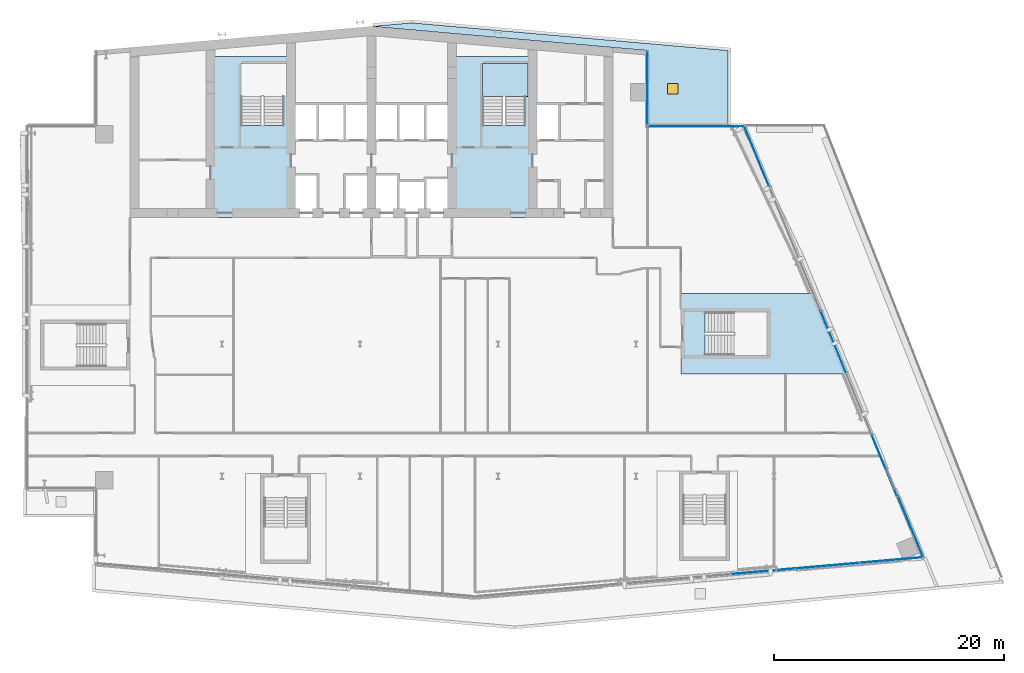
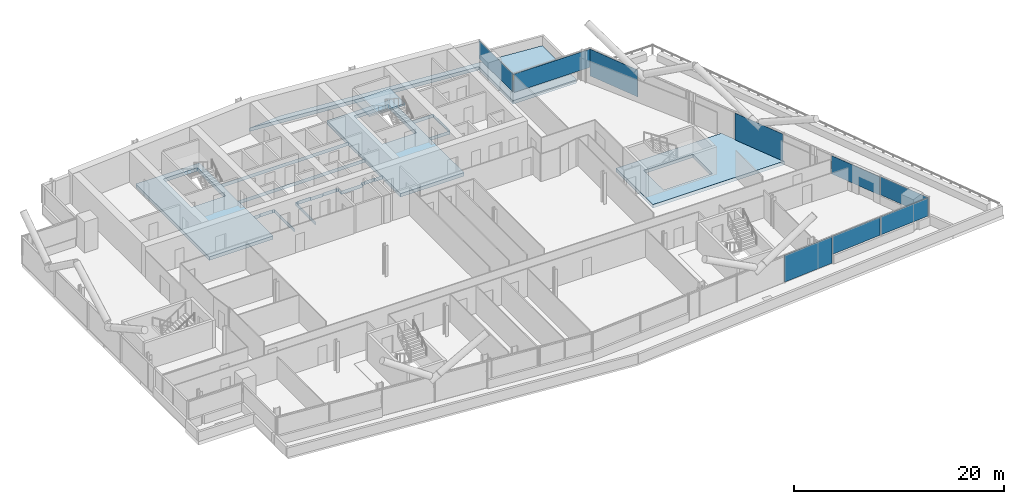
# One storey, part 13 of 30: 9 plates, 4 slabs, 1 door, 1 opening, 5 elements without a shape of their own.
"""IFC4 building model written with IfcOpenShell, lengths in metres."""

from ifc_helpers import new_model, si_unit, direction, frame, origin, origin_2d, place, context, subcontext, project, spatial, polyline, rectangle, outline, extrude, material, layer, layer_set, type_object, element, fill, aggregate, save


model = new_model("IFC4")

# Units and contexts
model_context = context("Model", 3, precision=1e-05, world=origin(), true_north=direction((0.0, 1.0)))
body_context = subcontext(model_context, "Body", "Model", "MODEL_VIEW")
ifc_project = project(units=[si_unit("LENGTHUNIT", "METRE"), si_unit("AREAUNIT", "SQUARE_METRE"), si_unit("VOLUMEUNIT", "CUBIC_METRE"), si_unit("PLANEANGLEUNIT", "RADIAN"), si_unit("MASSUNIT", "GRAM", prefix="KILO")], contexts=[model_context])

# Site, building, storey
site_placement = place(None, origin())
site = spatial("IfcSite", under=ifc_project, at=site_placement, CompositionType="ELEMENT")
building_placement = place(site_placement, origin())
building = spatial("IfcBuilding", under=site, at=building_placement, Name="Wharfspan Tower", CompositionType="ELEMENT")
storey_placement = place(building_placement, frame((0.0, 0.0, 151.899902)))
storey = spatial("IfcBuildingStorey", under=building, at=storey_placement, Name="L36", CompositionType="ELEMENT", Elevation=151.899902)

# Curtain wall, plates
ifc_material_1 = material(Name="Aluminium 6063-T6", Category="aluminium")
curtain_wall_type_1 = type_object("IfcCurtainWallType", Name="CURTAIN WALL FACETED FRONT", PredefinedType="NOTDEFINED", material=ifc_material_1)
curtain_wall_1_placement = place(storey_placement, origin())
curtain_wall_1 = element("IfcCurtainWall", 1, at=curtain_wall_1_placement, inside=storey, type_object=curtain_wall_type_1, Name="Curtain wall S2", PredefinedType="NOTDEFINED")
ifc_material_2 = material(Name="Glass clear low-iron double glazing", Category="glass")
ifc_layer_1 = layer(ifc_material_2, 0.040039)
ifc_layer_set_1 = layer_set([ifc_layer_1], Name="Glass clear low-iron double glazing")
plate_type_1 = type_object("IfcPlateType", Name="GLASS PANEL FACETED FRONT 40", PredefinedType="CURTAIN_PANEL", material=ifc_layer_set_1)
plate_1_placement = place(storey_placement, frame((76.637695, 3.728516, 1.0), z_axis=(0.0, 0.0, 1.0), x_axis=(0.996198, 0.087156, 0.0)))
plate_1 = element("IfcPlate", 2, at=plate_1_placement, type_object=plate_type_1, Name="Curtain wall S2 panel 6", PredefinedType="CURTAIN_PANEL", context=body_context, shape_type="SweptSolid", body=[
    extrude(rectangle(XDim=5.532715, YDim=0.040039, at=origin_2d()), origin(), (0.0, 0.0, 1.0), 2.120117),
])
plate_2_placement = place(storey_placement, frame((82.194092, 4.214844, 1.0), z_axis=(0.0, 0.0, 1.0), x_axis=(0.996198, 0.087156, 0.0)))
plate_2 = element("IfcPlate", 3, at=plate_2_placement, type_object=plate_type_1, Name="Curtain wall S2 panel 7", PredefinedType="CURTAIN_PANEL", context=body_context, shape_type="SweptSolid", body=[
    extrude(rectangle(XDim=5.502686, YDim=0.040039, at=origin_2d()), origin(), (0.0, 0.0, 1.0), 2.120117),
])

curtain_wall_type_2 = type_object("IfcCurtainWallType", Name="CURTAIN WALL PROW AND END", PredefinedType="NOTDEFINED", material=ifc_material_1)
curtain_wall_2_placement = place(storey_placement, origin())
curtain_wall_2 = element("IfcCurtainWall", 4, at=curtain_wall_2_placement, inside=storey, type_object=curtain_wall_type_2, Name="Curtain wall E", PredefinedType="NOTDEFINED")
ifc_layer_2 = layer(ifc_material_2, 0.040039)
ifc_layer_set_2 = layer_set([ifc_layer_2], Name="Glass clear low-iron double glazing")
plate_type_2 = type_object("IfcPlateType", Name="GLASS PANEL PROW AND END 40", PredefinedType="CURTAIN_PANEL", material=ifc_layer_set_2)
plate_3_placement = place(storey_placement, frame((83.885498, 7.099609, 1.0), z_axis=(0.0, 0.0, 1.0), x_axis=(-0.381602, 0.924325, 0.0)))
plate_3 = element("IfcPlate", 5, at=plate_3_placement, type_object=plate_type_2, Name="Curtain wall E panel 1", PredefinedType="CURTAIN_PANEL", context=body_context, shape_type="SweptSolid", body=[
    extrude(rectangle(XDim=5.721191, YDim=0.040039, at=origin_2d()), origin(), (0.0, 0.0, 1.0), 2.120117),
])
plate_4_placement = place(storey_placement, frame((81.599609, 12.426514, 1.0), z_axis=(0.0, 0.0, 1.0), x_axis=(-0.381602, 0.924325, 0.0)))
plate_4 = element("IfcPlate", 6, at=plate_4_placement, type_object=plate_type_2, Name="Curtain wall E panel 2", PredefinedType="CURTAIN_PANEL", context=body_context, shape_type="SweptSolid", body=[
    extrude(rectangle(XDim=5.751221, YDim=0.040039, at=origin_2d()), origin(), (0.0, 0.0, 1.0), 2.120117),
])

# Curtain wall, plate
curtain_wall_3_placement = place(storey_placement, origin())
curtain_wall_3 = element("IfcCurtainWall", 7, at=curtain_wall_3_placement, inside=storey, type_object=curtain_wall_type_2, Name="Curtain wall NRE-H", PredefinedType="NOTDEFINED")
plate_5_placement = place(storey_placement, frame((65.238525, 41.919922, 1.0), z_axis=(0.0, 0.0, 1.0), x_axis=(-1.0, 0.0, 0.0)))
plate_5 = element("IfcPlate", 8, at=plate_5_placement, type_object=plate_type_2, Name="Curtain wall NRE-H panel 1", PredefinedType="CURTAIN_PANEL", context=body_context, shape_type="SweptSolid", body=[
    extrude(rectangle(XDim=8.357178, YDim=0.040039, at=origin_2d()), origin(), (0.0, 0.0, 1.0), 2.120117),
])
aggregate(curtain_wall_3, [plate_5])

curtain_wall_4_placement = place(storey_placement, origin())
curtain_wall_4 = element("IfcCurtainWall", 9, at=curtain_wall_4_placement, inside=storey, type_object=curtain_wall_type_2, Name="Curtain wall NRE-V", PredefinedType="NOTDEFINED")
plate_6_placement = place(storey_placement, frame((61.0, 45.262451, 1.0), z_axis=(0.0, 0.0, 1.0), x_axis=(0.0, 1.0, 0.0)))
plate_6 = element("IfcPlate", 10, at=plate_6_placement, type_object=plate_type_2, Name="Curtain wall NRE-V panel 1", PredefinedType="CURTAIN_PANEL", context=body_context, shape_type="SweptSolid", body=[
    extrude(rectangle(XDim=6.405029, YDim=0.040039, at=origin_2d()), origin(), (0.0, 0.0, 1.0), 2.120117),
])
aggregate(curtain_wall_4, [plate_6])

# Plate
ifc_material_3 = material(Name="Aluminium composite opaque insulated panel", Category="aluminium")
ifc_layer_3 = layer(ifc_material_3, 0.040039)
ifc_layer_set_3 = layer_set([ifc_layer_3], Name="Aluminium composite opaque insulated panel")
plate_type_3 = type_object("IfcPlateType", Name="INFILL PANEL FACETED FRONT OPAQUE 40", PredefinedType="SHEET", material=ifc_layer_set_3)
plate_7_placement = place(storey_placement, frame((71.066162, 3.241211, 0.0), z_axis=(0.0, 0.0, 1.0), x_axis=(0.996198, 0.087156, 0.0)))
plate_7 = element("IfcPlate", 11, at=plate_7_placement, type_object=plate_type_3, Name="Curtain wall S2 panel 5", PredefinedType="SHEET", context=body_context, shape_type="SweptSolid", body=[
    extrude(rectangle(XDim=5.532715, YDim=0.040039, at=origin_2d()), origin(), (0.0, 0.0, 1.0), 3.120117),
])

aggregate(curtain_wall_1, [plate_7, plate_1, plate_2])

ifc_layer_4 = layer(ifc_material_3, 0.040039)
ifc_layer_set_4 = layer_set([ifc_layer_4], Name="Aluminium composite opaque insulated panel")
plate_type_4 = type_object("IfcPlateType", Name="INFILL PANEL PROW AND END OPAQUE 40", PredefinedType="SHEET", material=ifc_layer_set_4)
plate_8_placement = place(storey_placement, frame((77.164551, 23.169434, 0.0), z_axis=(0.0, 0.0, 1.0), x_axis=(-0.381602, 0.924325, 0.0)))
plate_8 = element("IfcPlate", 12, at=plate_8_placement, type_object=plate_type_4, Name="Curtain wall E panel 4", PredefinedType="SHEET", context=body_context, shape_type="SweptSolid", body=[
    extrude(rectangle(XDim=5.751221, YDim=0.040039, at=origin_2d()), origin(), (0.0, 0.0, 1.0), 3.120117),
])

plate_9_placement = place(storey_placement, frame((70.517578, 39.269775, 0.0), z_axis=(0.0, 0.0, 1.0), x_axis=(-0.381602, 0.924325, 0.0)))
plate_9 = element("IfcPlate", 13, at=plate_9_placement, type_object=plate_type_4, Name="Curtain wall E panel 7", PredefinedType="SHEET", context=body_context, shape_type="SweptSolid", body=[
    extrude(rectangle(XDim=5.721191, YDim=0.040039, at=origin_2d()), origin(), (0.0, 0.0, 1.0), 3.120117),
])

aggregate(curtain_wall_2, [plate_3, plate_4, plate_8, plate_9])

# Slabs
ifc_material_4 = material(Name="Concrete C40/50", Category="concrete")
ifc_layer_5 = layer(ifc_material_4, 0.399902)
ifc_layer_set_5 = layer_set([ifc_layer_5], Name="Concrete C40/50")
slab_type_1 = type_object("IfcSlabType", Name="Post-tensioned flat slab 400", PredefinedType="FLOOR", material=ifc_layer_set_5)
slab_1_placement = place(storey_placement, frame((0.0, 0.0, -0.400146)))
element("IfcSlab", 14, at=slab_1_placement, inside=storey, type_object=slab_type_1, Name="Core floor slab L36 part 3", PredefinedType="FLOOR", context=body_context, shape_type="SweptSolid", body=[
    extrude(outline(polyline([(23.0, 34.0), (29.998047, 34.0), (29.998047, 37.75), (29.998047, 37.750244), (29.998047, 37.750488), (29.998047, 37.750488), (29.998291, 37.750732), (29.998291, 37.750977), (29.998291, 37.751221), (29.998535, 37.751221), (29.998535, 37.751465), (29.998779, 37.751465), (29.998779, 37.751709), (29.999023, 37.751709), (29.999268, 37.751709), (29.999512, 37.751953), (29.999512, 37.751953), (29.999756, 37.751953), (30.0, 37.751953), (30.7146, 37.751953), (30.7146, 37.800049), (30.7146, 37.800293), (30.7146, 37.800293), (30.714844, 37.800537), (30.714844, 37.800781), (30.714844, 37.800781), (30.715088, 37.801025), (30.715088, 37.80127), (30.715332, 37.801514), (30.715332, 37.801514), (30.715576, 37.801758), (30.71582, 37.801758), (30.71582, 37.801758), (30.716064, 37.802002), (30.716309, 37.802002), (30.716553, 37.802002), (30.716797, 37.802002), (32.116699, 37.802002), (32.116943, 37.802002), (32.117188, 37.802002), (32.117188, 37.802002), (32.117432, 37.801758), (32.117676, 37.801758), (32.11792, 37.801758), (32.11792, 37.801514), (32.118164, 37.801514), (32.118164, 37.80127), (32.118408, 37.801025), (32.118408, 37.800781), (32.118408, 37.800781), (32.118652, 37.800537), (32.118652, 37.800293), (32.118652, 37.800293), (32.118652, 37.800049), (32.118652, 37.751953), (32.333252, 37.751953), (32.333496, 37.751953), (32.33374, 37.751953), (32.333984, 37.751953), (32.333984, 37.751709), (32.334229, 37.751709), (32.334473, 37.751709), (32.334717, 37.751465), (32.334717, 37.751465), (32.334961, 37.751221), (32.334961, 37.751221), (32.335205, 37.750977), (32.335205, 37.750732), (32.335205, 37.750488), (32.335205, 37.750488), (32.335205, 37.750244), (32.335205, 37.75), (32.335205, 34.0), (32.341309, 34.0), (32.341309, 37.758057), (32.126709, 37.758057), (32.126465, 37.758057), (32.126221, 37.758057), (32.126221, 37.758057), (32.125977, 37.758301), (32.125732, 37.758301), (32.125488, 37.758301), (32.125488, 37.758545), (32.125244, 37.758545), (32.125244, 37.758789), (32.125, 37.758789), (32.125, 37.759033), (32.125, 37.759277), (32.124756, 37.759521), (32.124756, 37.759521), (32.124756, 37.759766), (32.124756, 37.76001), (32.124756, 37.808105), (30.70874, 37.808105), (30.70874, 37.76001), (30.70874, 37.759766), (30.70874, 37.759521), (30.708496, 37.759521), (30.708496, 37.759277), (30.708496, 37.759033), (30.708496, 37.758789), (30.708252, 37.758789), (30.708008, 37.758545), (30.708008, 37.758545), (30.707764, 37.758301), (30.70752, 37.758301), (30.70752, 37.758301), (30.707275, 37.758057), (30.707031, 37.758057), (30.706787, 37.758057), (30.706787, 37.758057), (30.01001, 37.758057), (30.009766, 37.758057), (30.009521, 37.758057), (30.009521, 37.758057), (30.009277, 37.758301), (30.009033, 37.758301), (30.008789, 37.758301), (30.008789, 37.758545), (30.008545, 37.758545), (30.008545, 37.758789), (30.008301, 37.758789), (30.008301, 37.759033), (30.008301, 37.759277), (30.008057, 37.759521), (30.008057, 37.759521), (30.008057, 37.759766), (30.008057, 37.76001), (30.008057, 40.689941), (30.008057, 40.690186), (30.008057, 40.69043), (30.008057, 40.690674), (30.008301, 40.690918), (30.008301, 40.690918), (30.008301, 40.691162), (30.008545, 40.691406), (30.008545, 40.691406), (30.008789, 40.691406), (30.008789, 40.69165), (30.009033, 40.691895), (30.009277, 40.691895), (30.009521, 40.691895), (30.009521, 40.691895), (30.009766, 40.691895), (30.01001, 40.691895), (43.98999, 40.691895), (43.990234, 40.691895), (43.990479, 40.691895), (43.990479, 40.691895), (43.990723, 40.691895), (43.990967, 40.691895), (43.991211, 40.69165), (43.991211, 40.691406), (43.991455, 40.691406), (43.991455, 40.691406), (43.991699, 40.691162), (43.991699, 40.690918), (43.991699, 40.690918), (43.991943, 40.690674), (43.991943, 40.69043), (43.991943, 40.690186), (43.991943, 40.689941), (43.991943, 37.459961), (43.991943, 37.459717), (43.991943, 37.459717), (43.991943, 37.459473), (43.991699, 37.459229), (43.991699, 37.458984), (43.991699, 37.458984), (43.991455, 37.45874), (43.991455, 37.458496), (43.991211, 37.458496), (43.991211, 37.458252), (43.990967, 37.458252), (43.990723, 37.458252), (43.990479, 37.458008), (43.990479, 37.458008), (43.990234, 37.458008), (43.98999, 37.458008), (43.143311, 37.458008), (43.143066, 37.458008), (43.142822, 37.458008), (43.142578, 37.458008), (43.142578, 37.458252), (43.142334, 37.458252), (43.14209, 37.458252), (43.14209, 37.458496), (43.141846, 37.458496), (43.141846, 37.45874), (43.141602, 37.458984), (43.141602, 37.458984), (43.141602, 37.459229), (43.141357, 37.459473), (43.141357, 37.459717), (43.141357, 37.459717), (43.141357, 37.459961), (43.141357, 37.508057), (42.025391, 37.508057), (42.025391, 37.459961), (42.025391, 37.459717), (42.025391, 37.459717), (42.025146, 37.459473), (42.025146, 37.459229), (42.025146, 37.458984), (42.024902, 37.458984), (42.024902, 37.45874), (42.024658, 37.458496), (42.024658, 37.458496), (42.024414, 37.458252), (42.02417, 37.458252), (42.02417, 37.458252), (42.023926, 37.458008), (42.023682, 37.458008), (42.023438, 37.458008), (42.023193, 37.458008), (41.658691, 37.458008), (41.658691, 37.209961), (41.658691, 37.209717), (41.658691, 37.209717), (41.658691, 37.209473), (41.658447, 37.209229), (41.658447, 37.208984), (41.658447, 37.208984), (41.658203, 37.20874), (41.658203, 37.208496), (41.657959, 37.208496), (41.657715, 37.208252), (41.657715, 37.208252), (41.657471, 37.208252), (41.657227, 37.208008), (41.656982, 37.208008), (41.656982, 37.208008), (41.656738, 37.208008), (39.343262, 37.208008), (39.343018, 37.208008), (39.343018, 37.208008), (39.342773, 37.208008), (39.342529, 37.208252), (39.342285, 37.208252), (39.342285, 37.208252), (39.342041, 37.208496), (39.341797, 37.208496), (39.341797, 37.20874), (39.341553, 37.208984), (39.341553, 37.208984), (39.341553, 37.209229), (39.341309, 37.209473), (39.341309, 37.209717), (39.341309, 37.209717), (39.341309, 37.209961), (39.341309, 37.758057), (39.166748, 37.758057), (39.166504, 37.758057), (39.16626, 37.758057), (39.166016, 37.758057), (39.166016, 37.758301), (39.165771, 37.758301), (39.165527, 37.758301), (39.165283, 37.758545), (39.165283, 37.758545), (39.165283, 37.758789), (39.165039, 37.758789), (39.164795, 37.759033), (39.164795, 37.759277), (39.164795, 37.759521), (39.164795, 37.759521), (39.164795, 37.759766), (39.164795, 37.76001), (39.164795, 37.808105), (37.668701, 37.808105), (37.668701, 37.76001), (37.668701, 37.759766), (37.668701, 37.759521), (37.668701, 37.759521), (37.668457, 37.759277), (37.668457, 37.759033), (37.668457, 37.758789), (37.668213, 37.758789), (37.668213, 37.758545), (37.667969, 37.758545), (37.667725, 37.758301), (37.66748, 37.758301), (37.66748, 37.758301), (37.667236, 37.758057), (37.666992, 37.758057), (37.666992, 37.758057), (37.666748, 37.758057), (36.293213, 37.758057), (36.293213, 37.758057), (36.292969, 37.758057), (36.292725, 37.758057), (36.29248, 37.758301), (36.29248, 37.758301), (36.292236, 37.758301), (36.291992, 37.758545), (36.291992, 37.758545), (36.291748, 37.758789), (36.291504, 37.758789), (36.291504, 37.759033), (36.291504, 37.759277), (36.291504, 37.759521), (36.29126, 37.759521), (36.29126, 37.759766), (36.29126, 37.76001), (36.29126, 37.808105), (34.875244, 37.808105), (34.875244, 37.76001), (34.875244, 37.759766), (34.875244, 37.759521), (34.875244, 37.759521), (34.875, 37.759277), (34.875, 37.759033), (34.875, 37.758789), (34.874756, 37.758789), (34.874756, 37.758545), (34.874512, 37.758545), (34.874512, 37.758301), (34.874268, 37.758301), (34.874023, 37.758301), (34.873779, 37.758057), (34.873779, 37.758057), (34.873535, 37.758057), (34.873291, 37.758057), (34.658691, 37.758057), (34.658691, 34.0), (34.664795, 34.0), (34.664795, 37.75), (34.664795, 37.750244), (34.664795, 37.750488), (34.664795, 37.750488), (34.664795, 37.750732), (34.664795, 37.750977), (34.665039, 37.751221), (34.665039, 37.751221), (34.665283, 37.751465), (34.665283, 37.751465), (34.665527, 37.751709), (34.665771, 37.751709), (34.666016, 37.751709), (34.666016, 37.751953), (34.66626, 37.751953), (34.666504, 37.751953), (34.666748, 37.751953), (34.881348, 37.751953), (34.881348, 37.800049), (34.881348, 37.800293), (34.881348, 37.800293), (34.881348, 37.800537), (34.881592, 37.800781), (34.881592, 37.800781), (34.881592, 37.801025), (34.881836, 37.80127), (34.881836, 37.801514), (34.88208, 37.801514), (34.88208, 37.801758), (34.882324, 37.801758), (34.882568, 37.801758), (34.882812, 37.802002), (34.882812, 37.802002), (34.883057, 37.802002), (34.883301, 37.802002), (36.283203, 37.802002), (36.283447, 37.802002), (36.283691, 37.802002), (36.283936, 37.802002), (36.28418, 37.801758), (36.28418, 37.801758), (36.284424, 37.801758), (36.284668, 37.801514), (36.284668, 37.801514), (36.284912, 37.80127), (36.284912, 37.801025), (36.285156, 37.800781), (36.285156, 37.800781), (36.285156, 37.800537), (36.2854, 37.800293), (36.2854, 37.800293), (36.2854, 37.800049), (36.2854, 37.751953), (37.674805, 37.751953), (37.674805, 37.800049), (37.674805, 37.800293), (37.674805, 37.800293), (37.674805, 37.800537), (37.674805, 37.800781), (37.674805, 37.800781), (37.675049, 37.801025), (37.675049, 37.80127), (37.675293, 37.801514), (37.675293, 37.801514), (37.675537, 37.801758), (37.675781, 37.801758), (37.675781, 37.801758), (37.676025, 37.802002), (37.67627, 37.802002), (37.676514, 37.802002), (37.676758, 37.802002), (39.156738, 37.802002), (39.156982, 37.802002), (39.156982, 37.802002), (39.157227, 37.802002), (39.157471, 37.801758), (39.157715, 37.801758), (39.157715, 37.801758), (39.157959, 37.801514), (39.158203, 37.801514), (39.158203, 37.80127), (39.158203, 37.801025), (39.158447, 37.800781), (39.158447, 37.800781), (39.158691, 37.800537), (39.158691, 37.800293), (39.158691, 37.800293), (39.158691, 37.800049), (39.158691, 37.751953), (39.333252, 37.751953), (39.333496, 37.751953), (39.33374, 37.751953), (39.333984, 37.751953), (39.333984, 37.751709), (39.334229, 37.751709), (39.334473, 37.751709), (39.334717, 37.751465), (39.334717, 37.751465), (39.334961, 37.751221), (39.334961, 37.751221), (39.335205, 37.750977), (39.335205, 37.750732), (39.335205, 37.750488), (39.335205, 37.750488), (39.335205, 37.750244), (39.335205, 37.75), (39.335205, 37.201904), (41.664795, 37.201904), (41.664795, 37.449951), (41.664795, 37.450195), (41.664795, 37.450439), (41.664795, 37.450684), (41.664795, 37.450684), (41.664795, 37.450928), (41.665039, 37.451172), (41.665039, 37.451416), (41.665283, 37.451416), (41.665283, 37.451416), (41.665527, 37.45166), (41.665771, 37.451904), (41.666016, 37.451904), (41.666016, 37.451904), (41.66626, 37.451904), (41.666504, 37.451904), (41.666748, 37.451904), (42.03125, 37.451904), (42.03125, 37.5), (42.03125, 37.500244), (42.031494, 37.500488), (42.031494, 37.500488), (42.031494, 37.500732), (42.031494, 37.500977), (42.031738, 37.501221), (42.031738, 37.501221), (42.031982, 37.501465), (42.031982, 37.501465), (42.032227, 37.501709), (42.032471, 37.501709), (42.032715, 37.501709), (42.032715, 37.501953), (42.032959, 37.501953), (42.033203, 37.501953), (42.033203, 37.501953), (43.133301, 37.501953), (43.133545, 37.501953), (43.133789, 37.501953), (43.133789, 37.501953), (43.134033, 37.501709), (43.134277, 37.501709), (43.134521, 37.501709), (43.134521, 37.501465), (43.134766, 37.501465), (43.13501, 37.501221), (43.13501, 37.501221), (43.13501, 37.500977), (43.135254, 37.500732), (43.135254, 37.500488), (43.135254, 37.500488), (43.135254, 37.500244), (43.135254, 37.5), (43.135254, 37.451904), (44.0, 37.451904), (44.000244, 37.451904), (44.000488, 37.451904), (44.000488, 37.451904), (44.000732, 37.451904), (44.000977, 37.451904), (44.001221, 37.45166), (44.001221, 37.451416), (44.001465, 37.451416), (44.001465, 37.451416), (44.001709, 37.451172), (44.001709, 37.450928), (44.001709, 37.450684), (44.001953, 37.450684), (44.001953, 37.450439), (44.001953, 37.450195), (44.001953, 37.449951), (44.001953, 34.0), (51.0, 34.0), (51.008057, 34.0), (51.008057, 40.689941), (51.008057, 40.690186), (51.008057, 40.69043), (51.008057, 40.690674), (51.008301, 40.690918), (51.008301, 40.690918), (51.008301, 40.691162), (51.008545, 40.691406), (51.008545, 40.691406), (51.008789, 40.691406), (51.008789, 40.69165), (51.009033, 40.691895), (51.009277, 40.691895), (51.009521, 40.691895), (51.009521, 40.691895), (51.009766, 40.691895), (51.01001, 40.691895), (53.341309, 40.691895), (53.341309, 43.907959), (51.01001, 43.907959), (51.009766, 43.907959), (51.009521, 43.907959), (51.009521, 43.908203), (51.009277, 43.908203), (51.009033, 43.908203), (51.008789, 43.908203), (51.008789, 43.908447), (51.008545, 43.908691), (51.008545, 43.908691), (51.008301, 43.908936), (51.008301, 43.90918), (51.008301, 43.90918), (51.008057, 43.909424), (51.008057, 43.909668), (51.008057, 43.909912), (51.008057, 43.909912), (51.008057, 48.008057), (43.991943, 48.008057), (43.991943, 43.909912), (43.991943, 43.909912), (43.991943, 43.909668), (43.991943, 43.909424), (43.991699, 43.90918), (43.991699, 43.90918), (43.991699, 43.908936), (43.991455, 43.908691), (43.991455, 43.908691), (43.991211, 43.908447), (43.991211, 43.908203), (43.990967, 43.908203), (43.990723, 43.908203), (43.990479, 43.908203), (43.990479, 43.907959), (43.990234, 43.907959), (43.98999, 43.907959), (30.01001, 43.907959), (30.009766, 43.907959), (30.009521, 43.907959), (30.009521, 43.908203), (30.009277, 43.908203), (30.009033, 43.908203), (30.008789, 43.908203), (30.008789, 43.908447), (30.008545, 43.908691), (30.008545, 43.908691), (30.008301, 43.908936), (30.008301, 43.90918), (30.008301, 43.90918), (30.008057, 43.909424), (30.008057, 43.909668), (30.008057, 43.909912), (30.008057, 43.909912), (30.008057, 48.008057), (22.991943, 48.008057), (22.991943, 34.0), (23.0, 34.0)]), holes=[polyline([(50.998047, 43.899902), (50.998047, 43.900146), (50.998047, 43.900391), (50.998047, 43.900635), (50.998291, 43.900879), (50.998291, 43.900879), (50.998291, 43.901123), (50.998535, 43.901367), (50.998535, 43.901367), (50.998779, 43.901611), (50.998779, 43.901611), (50.999023, 43.901855), (50.999268, 43.901855), (50.999512, 43.901855), (50.999512, 43.9021), (50.999756, 43.9021), (51.0, 43.9021), (53.333252, 43.9021), (53.333496, 43.9021), (53.33374, 43.9021), (53.333984, 43.901855), (53.333984, 43.901855), (53.334229, 43.901855), (53.334473, 43.901611), (53.334717, 43.901611), (53.334717, 43.901367), (53.334961, 43.901367), (53.334961, 43.901123), (53.335205, 43.900879), (53.335205, 43.900879), (53.335205, 43.900635), (53.335205, 43.900391), (53.335205, 43.900146), (53.335205, 43.899902), (53.335205, 40.699951), (53.335205, 40.699707), (53.335205, 40.699707), (53.335205, 40.699463), (53.335205, 40.699219), (53.335205, 40.699219), (53.334961, 40.698975), (53.334961, 40.69873), (53.334717, 40.698486), (53.334717, 40.698486), (53.334473, 40.698242), (53.334229, 40.698242), (53.333984, 40.698242), (53.333984, 40.697998), (53.33374, 40.697998), (53.333496, 40.697998), (53.333252, 40.697998), (51.0, 40.697998), (50.999756, 40.697998), (50.999512, 40.697998), (50.999512, 40.697998), (50.999268, 40.698242), (50.999023, 40.698242), (50.998779, 40.698242), (50.998779, 40.698486), (50.998535, 40.698486), (50.998535, 40.69873), (50.998291, 40.698975), (50.998291, 40.699219), (50.998291, 40.699219), (50.998047, 40.699463), (50.998047, 40.699707), (50.998047, 40.699707), (50.998047, 40.699951), (50.998047, 43.899902)]), polyline([(46.649902, 41.998047), (46.649902, 41.998047), (46.649658, 41.998047), (46.649414, 41.998047), (46.64917, 41.998291), (46.64917, 41.998291), (46.648926, 41.998291), (46.648682, 41.998535), (46.648682, 41.998535), (46.648438, 41.998779), (46.648193, 41.998779), (46.648193, 41.999023), (46.648193, 41.999268), (46.648193, 41.999512), (46.647949, 41.999512), (46.647949, 41.999756), (46.647949, 42.0), (46.647949, 47.399902), (46.647949, 47.400146), (46.647949, 47.400391), (46.648193, 47.400635), (46.648193, 47.400879), (46.648193, 47.400879), (46.648193, 47.401123), (46.648438, 47.401367), (46.648682, 47.401367), (46.648682, 47.401611), (46.648926, 47.401611), (46.64917, 47.401855), (46.64917, 47.401855), (46.649414, 47.401855), (46.649658, 47.4021), (46.649902, 47.4021), (46.649902, 47.4021), (50.399902, 47.4021), (50.400146, 47.4021), (50.400391, 47.4021), (50.400635, 47.401855), (50.400879, 47.401855), (50.400879, 47.401855), (50.401123, 47.401611), (50.401367, 47.401611), (50.401367, 47.401367), (50.401611, 47.401367), (50.401611, 47.401123), (50.401855, 47.400879), (50.401855, 47.400879), (50.401855, 47.400635), (50.4021, 47.400391), (50.4021, 47.400146), (50.4021, 47.399902), (50.4021, 42.0), (50.4021, 41.999756), (50.4021, 41.999512), (50.401855, 41.999512), (50.401855, 41.999268), (50.401855, 41.999023), (50.401611, 41.998779), (50.401611, 41.998779), (50.401367, 41.998535), (50.401367, 41.998535), (50.401123, 41.998291), (50.400879, 41.998291), (50.400879, 41.998291), (50.400635, 41.998047), (50.400391, 41.998047), (50.400146, 41.998047), (50.399902, 41.998047), (46.649902, 41.998047)]), polyline([(44.0, 43.9021), (44.000244, 43.9021), (44.000488, 43.9021), (44.000488, 43.901855), (44.000732, 43.901855), (44.000977, 43.901855), (44.001221, 43.901611), (44.001221, 43.901611), (44.001465, 43.901367), (44.001465, 43.901367), (44.001709, 43.901123), (44.001709, 43.900879), (44.001709, 43.900879), (44.001953, 43.900635), (44.001953, 43.900391), (44.001953, 43.900146), (44.001953, 43.899902), (44.001953, 40.699951), (44.001953, 40.699707), (44.001953, 40.699707), (44.001953, 40.699463), (44.001709, 40.699219), (44.001709, 40.699219), (44.001709, 40.698975), (44.001465, 40.69873), (44.001465, 40.698486), (44.001221, 40.698486), (44.001221, 40.698242), (44.000977, 40.698242), (44.000732, 40.698242), (44.000488, 40.697998), (44.000488, 40.697998), (44.000244, 40.697998), (44.0, 40.697998), (30.0, 40.697998), (29.999756, 40.697998), (29.999512, 40.697998), (29.999512, 40.697998), (29.999268, 40.698242), (29.999023, 40.698242), (29.998779, 40.698242), (29.998779, 40.698486), (29.998535, 40.698486), (29.998535, 40.69873), (29.998291, 40.698975), (29.998291, 40.699219), (29.998291, 40.699219), (29.998047, 40.699463), (29.998047, 40.699707), (29.998047, 40.699707), (29.998047, 40.699951), (29.998047, 43.899902), (29.998047, 43.900146), (29.998047, 43.900391), (29.998047, 43.900635), (29.998291, 43.900879), (29.998291, 43.900879), (29.998291, 43.901123), (29.998535, 43.901367), (29.998535, 43.901367), (29.998779, 43.901611), (29.998779, 43.901611), (29.999023, 43.901855), (29.999268, 43.901855), (29.999512, 43.901855), (29.999512, 43.9021), (29.999756, 43.9021), (30.0, 43.9021), (44.0, 43.9021)]), polyline([(29.4021, 42.0), (29.4021, 41.999756), (29.4021, 41.999512), (29.401855, 41.999512), (29.401855, 41.999268), (29.401855, 41.999023), (29.401611, 41.998779), (29.401611, 41.998779), (29.401367, 41.998535), (29.401367, 41.998535), (29.401123, 41.998291), (29.400879, 41.998291), (29.400879, 41.998291), (29.400635, 41.998047), (29.400391, 41.998047), (29.400146, 41.998047), (29.399902, 41.998047), (25.649902, 41.998047), (25.649902, 41.998047), (25.649658, 41.998047), (25.649414, 41.998047), (25.64917, 41.998291), (25.64917, 41.998291), (25.648926, 41.998291), (25.648682, 41.998535), (25.648682, 41.998535), (25.648438, 41.998779), (25.648193, 41.998779), (25.648193, 41.999023), (25.648193, 41.999268), (25.648193, 41.999512), (25.647949, 41.999512), (25.647949, 41.999756), (25.647949, 42.0), (25.647949, 47.399902), (25.647949, 47.400146), (25.647949, 47.400391), (25.648193, 47.400635), (25.648193, 47.400879), (25.648193, 47.400879), (25.648193, 47.401123), (25.648438, 47.401367), (25.648682, 47.401367), (25.648682, 47.401611), (25.648926, 47.401611), (25.64917, 47.401855), (25.64917, 47.401855), (25.649414, 47.401855), (25.649658, 47.4021), (25.649902, 47.4021), (25.649902, 47.4021), (29.399902, 47.4021), (29.400146, 47.4021), (29.400391, 47.4021), (29.400635, 47.401855), (29.400879, 47.401855), (29.400879, 47.401855), (29.401123, 47.401611), (29.401367, 47.401611), (29.401367, 47.401367), (29.401611, 47.401367), (29.401611, 47.401123), (29.401855, 47.400879), (29.401855, 47.400879), (29.401855, 47.400635), (29.4021, 47.400391), (29.4021, 47.400146), (29.4021, 47.399902), (29.4021, 42.0)])]), origin(), (0.0, 0.0, 1.0), 0.400146),
])
slab_2_placement = place(storey_placement, frame((0.0, 0.0, -0.400146)))
element("IfcSlab", 15, at=slab_2_placement, inside=storey, type_object=slab_type_1, Name="Core floor slab L36 part 5", PredefinedType="FLOOR", context=body_context, shape_type="SweptSolid", body=[
    extrude(outline(polyline([(78.394531, 20.399902), (75.504639, 27.399902), (63.904541, 27.399902), (63.904541, 20.399902), (78.394531, 20.399902)]), holes=[polyline([(66.002686, 25.774902), (66.002686, 25.775146), (66.002686, 25.775391), (66.002686, 25.775635), (66.002686, 25.775879), (66.002686, 25.775879), (66.00293, 25.776123), (66.00293, 25.776367), (66.003174, 25.776367), (66.003418, 25.776611), (66.003418, 25.776611), (66.003662, 25.776855), (66.003906, 25.776855), (66.003906, 25.776855), (66.00415, 25.7771), (66.004395, 25.7771), (66.004639, 25.7771), (71.404541, 25.7771), (71.404785, 25.7771), (71.405029, 25.7771), (71.405273, 25.776855), (71.405518, 25.776855), (71.405518, 25.776855), (71.405762, 25.776611), (71.406006, 25.776611), (71.406006, 25.776367), (71.406006, 25.776367), (71.40625, 25.776123), (71.406494, 25.775879), (71.406494, 25.775879), (71.406494, 25.775635), (71.406494, 25.775391), (71.406494, 25.775146), (71.406494, 25.774902), (71.406494, 22.024902), (71.406494, 22.024902), (71.406494, 22.024658), (71.406494, 22.024414), (71.406494, 22.02417), (71.406494, 22.02417), (71.40625, 22.023926), (71.406006, 22.023682), (71.406006, 22.023682), (71.406006, 22.023438), (71.405762, 22.023193), (71.405518, 22.023193), (71.405518, 22.023193), (71.405273, 22.023193), (71.405029, 22.022949), (71.404785, 22.022949), (71.404541, 22.022949), (66.004639, 22.022949), (66.004395, 22.022949), (66.00415, 22.022949), (66.003906, 22.023193), (66.003906, 22.023193), (66.003662, 22.023193), (66.003418, 22.023193), (66.003418, 22.023438), (66.003174, 22.023682), (66.00293, 22.023682), (66.00293, 22.023926), (66.002686, 22.02417), (66.002686, 22.02417), (66.002686, 22.024414), (66.002686, 22.024658), (66.002686, 22.024902), (66.002686, 22.024902), (66.002686, 25.774902)])]), origin(), (0.0, 0.0, 1.0), 0.400146),
])

# Stair, slab
stair_type = type_object("IfcStairType", Name="Half-turn stair 20 risers 180 mm", PredefinedType="HALF_TURN_STAIR", material=ifc_material_4)
stair_placement = place(storey_placement, origin())
stair = element("IfcStair", 16, at=stair_placement, inside=storey, type_object=stair_type, Name="L36 stair ST2", PredefinedType="HALF_TURN_STAIR")
ifc_layer_6 = layer(ifc_material_4, 0.199951)
ifc_layer_set_6 = layer_set([ifc_layer_6], Name="Concrete C40/50")
slab_type_2 = type_object("IfcSlabType", Name="Stair landing 200", PredefinedType="LANDING", material=ifc_layer_set_6)
slab_3_placement = place(storey_placement, frame((0.0, 0.0, 1.599854)))
slab_3 = element("IfcSlab", 17, at=slab_3_placement, type_object=slab_type_2, Name="ST2 landing 1", PredefinedType="LANDING", context=body_context, shape_type="SweptSolid", body=[
    extrude(outline(polyline([(46.649902, 44.52002), (50.600098, 44.52002), (50.600098, 47.399902), (46.649902, 47.399902), (46.649902, 44.52002)])), origin(), (0.0, 0.0, 1.0), 0.200195),
])
aggregate(stair, [slab_3])

# Slab, opening, door
ifc_layer_7 = layer(ifc_material_4, 0.399902)
ifc_layer_set_7 = layer_set([ifc_layer_7], Name="Concrete C40/50")
slab_type_3 = type_object("IfcSlabType", Name="Terrace slab 400", PredefinedType="FLOOR", material=ifc_layer_set_7)
slab_4_placement = place(storey_placement, frame((0.0, 0.0, -0.400146)))
slab_4 = element("IfcSlab", 18, at=slab_4_placement, inside=storey, type_object=slab_type_3, Name="Ledge slab G2F2 L36", PredefinedType="FLOOR", context=body_context, shape_type="SweptSolid", body=[
    extrude(outline(polyline([(68.0, 48.524902), (40.5, 50.930908), (37.011475, 50.625732), (61.001953, 48.526855), (61.001953, 42.001953), (68.0, 42.001953), (68.0, 48.524902)])), origin(), (0.0, 0.0, 1.0), 0.400146),
])
opening_placement = place(slab_4_placement, frame((63.201904, 45.201904, 0.0)))
opening = element("IfcOpeningElement", 19, at=opening_placement, cuts=slab_4, Name="Opening RH1", PredefinedType="OPENING", context=body_context, shape_type="SweptSolid", body=[
    extrude(rectangle(XDim=0.899902, YDim=0.899902, at=origin_2d()), frame((0.0, 0.0, -0.01001)), (0.0, 0.0, 1.0), 0.419922),
])
ifc_material_5 = material(Name="Steel S355J2", Category="steel")
door_type = type_object("IfcDoorType", Name="ROOF HATCH 900x900", OperationType="SINGLE_SWING_LEFT", PredefinedType="TRAPDOOR", material=ifc_material_5)
door_placement = place(opening_placement, frame((0.0, 0.0, 0.359863)))
door = element("IfcDoor", 20, at=door_placement, inside=storey, type_object=door_type, Name="Roof hatch", OperationType="SINGLE_SWING_LEFT", OverallHeight=0.899902, OverallWidth=0.899902, PredefinedType="TRAPDOOR", context=body_context, shape_type="SweptSolid", body=[
    extrude(rectangle(XDim=0.899902, YDim=0.899902, at=origin_2d()), origin(), (0.0, 0.0, 1.0), 0.050049),
])
fill(opening, door)

save(model, "model.ifc")
